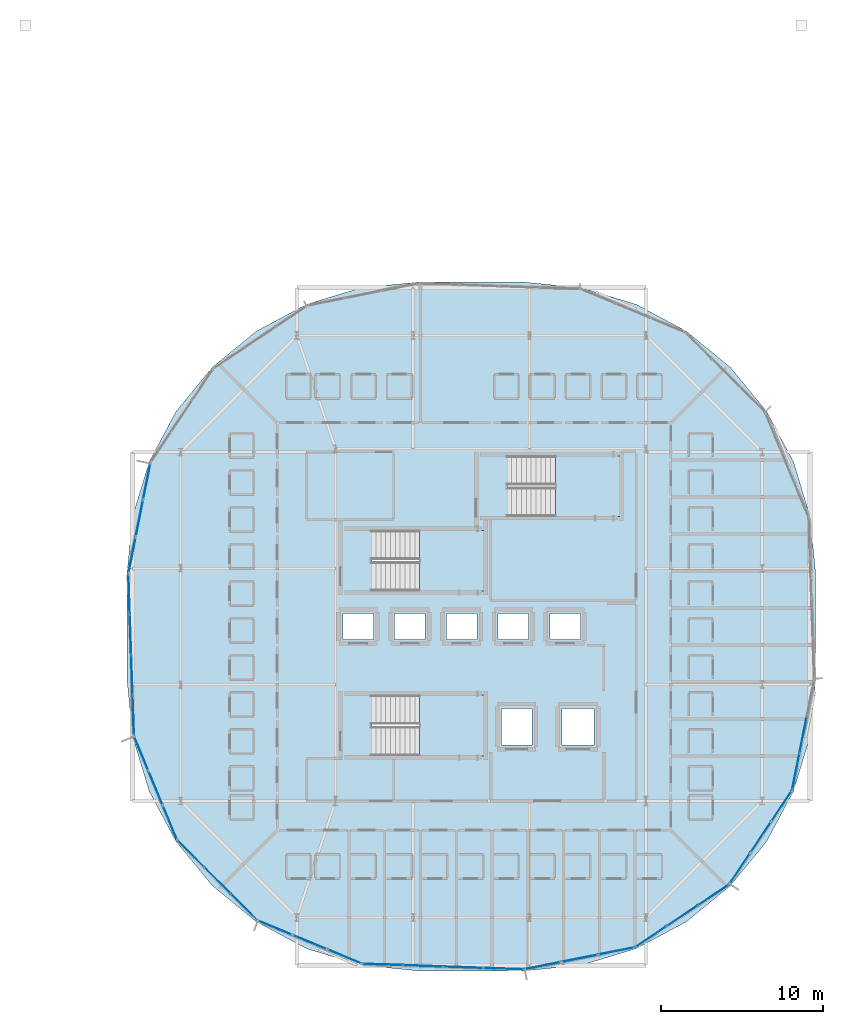
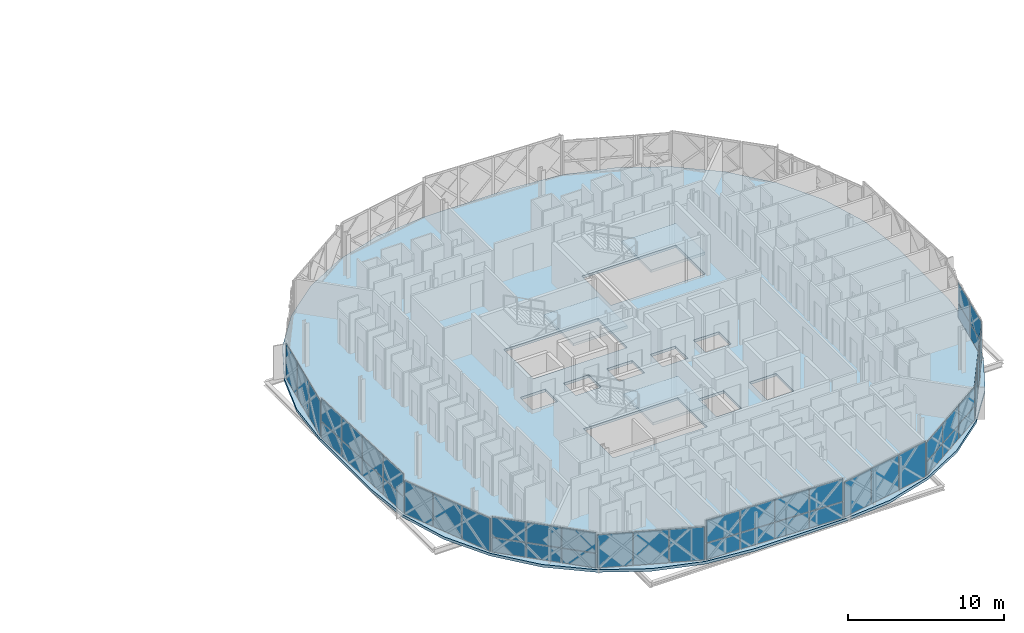
# One storey, part 12 of 25: 47 plates, 4 slabs, 13 elements without a shape of their own.
"""IFC4 building model written with IfcOpenShell, lengths in metres."""

from ifc_helpers import new_model, si_unit, direction, frame, origin, origin_2d, place, context, subcontext, project, spatial, polyline, rectangle, outline, extrude, material, layer, layer_set, type_object, element, aggregate, save


model = new_model("IFC4")

# Units and contexts
model_context = context("Model", 3, precision=1e-05, world=origin(), true_north=direction((0.0, 1.0)))
body_context = subcontext(model_context, "Body", "Model", "MODEL_VIEW")
ifc_project = project(units=[si_unit("LENGTHUNIT", "METRE"), si_unit("AREAUNIT", "SQUARE_METRE"), si_unit("VOLUMEUNIT", "CUBIC_METRE"), si_unit("PLANEANGLEUNIT", "RADIAN"), si_unit("MASSUNIT", "GRAM", prefix="KILO")], contexts=[model_context])

# Site, building, storey
site_placement = place(None, origin())
site = spatial("IfcSite", under=ifc_project, at=site_placement, CompositionType="ELEMENT")
building_placement = place(site_placement, origin())
building = spatial("IfcBuilding", under=site, at=building_placement, Name="Zevrakil Square Congress Hotel", CompositionType="ELEMENT")
storey_placement = place(building_placement, frame((0.0, 0.0, 28.300048828125)))
storey = spatial("IfcBuildingStorey", under=building, at=storey_placement, Name="L08", CompositionType="ELEMENT", Elevation=28.300048828125)

# Curtain wall, plate
ifc_material_1 = material(Name="Aluminium Anodised Bronze", Category="aluminium")
ifc_layer_1 = layer(ifc_material_1, 0.179931640625)
ifc_layer_set_1 = layer_set([ifc_layer_1], Name="Aluminium Anodised Bronze")
curtain_wall_type_1 = type_object("IfcCurtainWallType", Name="CW-L08-720", PredefinedType="USERDEFINED", material=ifc_layer_set_1)
curtain_wall_1_placement = place(storey_placement, origin())
curtain_wall_1 = element("IfcCurtainWall", 1, at=curtain_wall_1_placement, inside=storey, type_object=curtain_wall_type_1, Name="L08 diamond curtain wall CW-L08-0235", ObjectType="GLAZED CURTAIN WALL", PredefinedType="USERDEFINED")
ifc_material_2 = material(Name="Low-E Solar Control Double Glazing", Category="glass")
ifc_layer_2 = layer(ifc_material_2, 0.028076171875)
ifc_layer_set_2 = layer_set([ifc_layer_2], Name="Low-E Solar Control Double Glazing")
plate_type_1 = type_object("IfcPlateType", Name="CWP-GLAZ-28", PredefinedType="CURTAIN_PANEL", material=ifc_layer_set_2)
plate_1_placement = place(storey_placement, frame((151.89501953125, 7.06884765625, 0.06005859375), z_axis=(0.0, 0.0, 1.0), x_axis=(0.980786557708, 0.195083900459, 0.0)))
plate_1 = element("IfcPlate", 2, at=plate_1_placement, type_object=plate_type_1, Name="CW-94 panel 2.1", PredefinedType="CURTAIN_PANEL", context=body_context, shape_type="SweptSolid", body=[
    extrude(rectangle(XDim=2.275146484375, YDim=0.028076171875, at=origin_2d()), origin(), (0.0, 0.0, 1.0), 2.739990234375),
])

# Curtain wall, plates
curtain_wall_2_placement = place(storey_placement, origin())
curtain_wall_2 = element("IfcCurtainWall", 3, at=curtain_wall_2_placement, inside=storey, type_object=curtain_wall_type_1, Name="L08 diamond curtain wall CW-L08-0236", ObjectType="GLAZED CURTAIN WALL", PredefinedType="USERDEFINED")
plate_2_placement = place(storey_placement, frame((156.31396484375, 8.4091796875, 0.06005859375), z_axis=(0.0, 0.0, 1.0), x_axis=(0.831465693332, 0.555576098128, 0.0)))
plate_2 = element("IfcPlate", 4, at=plate_2_placement, type_object=plate_type_1, Name="CW-94 panel 1.1", PredefinedType="CURTAIN_PANEL", context=body_context, shape_type="SweptSolid", body=[
    extrude(rectangle(XDim=2.2451171875, YDim=0.028076171875, at=origin_2d()), origin(), (0.0, 0.0, 1.0), 1.048095703125),
])
plate_3_placement = place(storey_placement, frame((158.2431640625, 9.6982421875, 1.16796875), z_axis=(0.0, 0.0, 1.0), x_axis=(0.831465693332, 0.555576098128, 0.0)))
plate_3 = element("IfcPlate", 5, at=plate_3_placement, type_object=plate_type_1, Name="CW-94 panel 2.2", PredefinedType="CURTAIN_PANEL", context=body_context, shape_type="SweptSolid", body=[
    extrude(rectangle(XDim=2.275146484375, YDim=0.028076171875, at=origin_2d()), origin(), (0.0, 0.0, 1.0), 1.481689453125),
])
plate_4_placement = place(storey_placement, frame((160.17236328125, 10.9873046875, 1.16796875), z_axis=(0.0, 0.0, 1.0), x_axis=(0.831465693332, 0.555576098128, 0.0)))
plate_4 = element("IfcPlate", 6, at=plate_4_placement, type_object=plate_type_1, Name="CW-94 panel 3.2", PredefinedType="CURTAIN_PANEL", context=body_context, shape_type="SweptSolid", body=[
    extrude(rectangle(XDim=2.2451171875, YDim=0.028076171875, at=origin_2d()), origin(), (0.0, 0.0, 1.0), 1.481689453125),
])

# Curtain wall, plate
curtain_wall_3_placement = place(storey_placement, origin())
curtain_wall_3 = element("IfcCurtainWall", 7, at=curtain_wall_3_placement, inside=storey, type_object=curtain_wall_type_1, Name="L08 diamond curtain wall CW-L08-0237", ObjectType="GLAZED CURTAIN WALL", PredefinedType="USERDEFINED")
plate_5_placement = place(storey_placement, frame((164.390869140625, 16.486083984375, 0.06005859375), z_axis=(0.0, 0.0, 1.0), x_axis=(0.555576098128, 0.831465693332, 0.0)))
plate_5 = element("IfcPlate", 8, at=plate_5_placement, type_object=plate_type_1, Name="CW-94 panel 3.1", PredefinedType="CURTAIN_PANEL", context=body_context, shape_type="SweptSolid", body=[
    extrude(rectangle(XDim=2.2451171875, YDim=0.028076171875, at=origin_2d()), origin(), (0.0, 0.0, 1.0), 2.590087890625),
])

# Curtain wall, plates
curtain_wall_4_placement = place(storey_placement, origin())
curtain_wall_4 = element("IfcCurtainWall", 9, at=curtain_wall_4_placement, inside=storey, type_object=curtain_wall_type_1, Name="L08 diamond curtain wall CW-L08-0238", ObjectType="GLAZED CURTAIN WALL", PredefinedType="USERDEFINED")
plate_6_placement = place(storey_placement, frame((165.278564453125, 18.62939453125, 1.231201171875), z_axis=(0.0, 0.0, 1.0), x_axis=(0.195083900459, 0.980786557708, 0.0)))
plate_6 = element("IfcPlate", 10, at=plate_6_placement, type_object=plate_type_1, Name="CW-94 panel 1.2", PredefinedType="CURTAIN_PANEL", context=body_context, shape_type="SweptSolid", body=[
    extrude(rectangle(XDim=2.2451171875, YDim=0.028076171875, at=origin_2d()), origin(), (0.0, 0.0, 1.0), 1.56884765625),
])
plate_7_placement = place(storey_placement, frame((165.731201171875, 20.905029296875, 1.231201171875), z_axis=(0.0, 0.0, 1.0), x_axis=(0.195083900459, 0.980786557708, 0.0)))
plate_7 = element("IfcPlate", 11, at=plate_7_placement, type_object=plate_type_1, Name="CW-94 panel 2.2", PredefinedType="CURTAIN_PANEL", context=body_context, shape_type="SweptSolid", body=[
    extrude(rectangle(XDim=2.275146484375, YDim=0.028076171875, at=origin_2d()), origin(), (0.0, 0.0, 1.0), 1.56884765625),
])

# Curtain wall, plate
curtain_wall_5_placement = place(storey_placement, origin())
curtain_wall_5 = element("IfcCurtainWall", 12, at=curtain_wall_5_placement, inside=storey, type_object=curtain_wall_type_1, Name="L08 diamond curtain wall CW-L08-0247", ObjectType="GLAZED CURTAIN WALL", PredefinedType="USERDEFINED")
plate_8_placement = place(storey_placement, frame((124.21630859375, 32.019287109375, 0.06005859375), z_axis=(0.0, 0.0, 1.0), x_axis=(-0.195083900459, -0.980786557708, 0.0)))
plate_8 = element("IfcPlate", 13, at=plate_8_placement, type_object=plate_type_1, Name="CW-94 panel 3.1", PredefinedType="CURTAIN_PANEL", context=body_context, shape_type="SweptSolid", body=[
    extrude(rectangle(XDim=2.2451171875, YDim=0.028076171875, at=origin_2d()), origin(), (0.0, 0.0, 1.0), 2.739990234375),
])

# Curtain wall, plates
ifc_material_3 = material(Name="Aluminium Anodised Bronze", Category="aluminium")
ifc_layer_3 = layer(ifc_material_3, 0.179931640625)
ifc_layer_set_3 = layer_set([ifc_layer_3], Name="Aluminium Anodised Bronze")
curtain_wall_type_2 = type_object("IfcCurtainWallType", Name="CW-L08-900", PredefinedType="USERDEFINED", material=ifc_layer_set_3)
curtain_wall_6_placement = place(storey_placement, origin())
curtain_wall_6 = element("IfcCurtainWall", 14, at=curtain_wall_6_placement, inside=storey, type_object=curtain_wall_type_2, Name="L08 diamond curtain wall CW-L08-0248", ObjectType="GLAZED CURTAIN WALL", PredefinedType="USERDEFINED")
plate_9_placement = place(storey_placement, frame((124.029052734375, 29.591796875, 1.363525390625), z_axis=(0.0, 0.0, 1.0), x_axis=(0.034404573593, -0.999407987418, 0.0)))
plate_9 = element("IfcPlate", 15, at=plate_9_placement, type_object=plate_type_1, Name="CW-96 panel 1.2", PredefinedType="CURTAIN_PANEL", context=body_context, shape_type="SweptSolid", body=[
    extrude(rectangle(XDim=2.4169921875, YDim=0.028076171875, at=origin_2d()), origin(), (0.0, 0.0, 1.0), 1.75146484375),
])
plate_10_placement = place(storey_placement, frame((124.114990234375, 27.101318359375, 1.363525390625), z_axis=(0.0, 0.0, 1.0), x_axis=(0.034404573593, -0.999407987418, 0.0)))
plate_10 = element("IfcPlate", 16, at=plate_10_placement, type_object=plate_type_1, Name="CW-96 panel 2.2", PredefinedType="CURTAIN_PANEL", context=body_context, shape_type="SweptSolid", body=[
    extrude(rectangle(XDim=2.447021484375, YDim=0.028076171875, at=origin_2d()), origin(), (0.0, 0.0, 1.0), 1.75146484375),
])
plate_11_placement = place(storey_placement, frame((124.286865234375, 22.10546875, 0.06005859375), z_axis=(0.0, 0.0, 1.0), x_axis=(0.034404573593, -0.999407987418, 0.0)))
plate_11 = element("IfcPlate", 17, at=plate_11_placement, type_object=plate_type_1, Name="CW-96 panel 4.1", PredefinedType="CURTAIN_PANEL", context=body_context, shape_type="SweptSolid", body=[
    extrude(rectangle(XDim=2.4169921875, YDim=0.028076171875, at=origin_2d()), origin(), (0.0, 0.0, 1.0), 1.243408203125),
])

curtain_wall_7_placement = place(storey_placement, origin())
curtain_wall_7 = element("IfcCurtainWall", 18, at=curtain_wall_7_placement, inside=storey, type_object=curtain_wall_type_1, Name="L08 diamond curtain wall CW-L08-0249", ObjectType="GLAZED CURTAIN WALL", PredefinedType="USERDEFINED")
plate_12_placement = place(storey_placement, frame((124.782958984375, 19.7451171875, 0.06005859375), z_axis=(0.0, 0.0, 1.0), x_axis=(0.382683763454, -0.92387939537, 0.0)))
plate_12 = element("IfcPlate", 19, at=plate_12_placement, type_object=plate_type_1, Name="CW-94 panel 1.1", PredefinedType="CURTAIN_PANEL", context=body_context, shape_type="SweptSolid", body=[
    extrude(rectangle(XDim=2.245361328125, YDim=0.028076171875, at=origin_2d()), origin(), (0.0, 0.0, 1.0), 2.590087890625),
])
plate_13_placement = place(storey_placement, frame((126.558837890625, 15.457763671875, 0.06005859375), z_axis=(0.0, 0.0, 1.0), x_axis=(0.382683763454, -0.92387939537, 0.0)))
plate_13 = element("IfcPlate", 20, at=plate_13_placement, type_object=plate_type_1, Name="CW-94 panel 3.1", PredefinedType="CURTAIN_PANEL", context=body_context, shape_type="SweptSolid", body=[
    extrude(rectangle(XDim=2.245361328125, YDim=0.028076171875, at=origin_2d()), origin(), (0.0, 0.0, 1.0), 2.590087890625),
])

curtain_wall_8_placement = place(storey_placement, origin())
curtain_wall_8 = element("IfcCurtainWall", 21, at=curtain_wall_8_placement, inside=storey, type_object=curtain_wall_type_1, Name="L08 diamond curtain wall CW-L08-0250", ObjectType="GLAZED CURTAIN WALL", PredefinedType="USERDEFINED")
plate_14_placement = place(storey_placement, frame((127.84765625, 13.529052734375, 1.231201171875), z_axis=(0.0, 0.0, 1.0), x_axis=(0.707106781187, -0.707106781187, 0.0)))
plate_14 = element("IfcPlate", 22, at=plate_14_placement, type_object=plate_type_1, Name="CW-94 panel 1.2", PredefinedType="CURTAIN_PANEL", context=body_context, shape_type="SweptSolid", body=[
    extrude(rectangle(XDim=2.2451171875, YDim=0.028076171875, at=origin_2d()), origin(), (0.0, 0.0, 1.0), 1.56884765625),
])
plate_15_placement = place(storey_placement, frame((131.12890625, 10.247802734375, 0.06005859375), z_axis=(0.0, 0.0, 1.0), x_axis=(0.707106781187, -0.707106781187, 0.0)))
plate_15 = element("IfcPlate", 23, at=plate_15_placement, type_object=plate_type_1, Name="CW-94 panel 3.1", PredefinedType="CURTAIN_PANEL", context=body_context, shape_type="SweptSolid", body=[
    extrude(rectangle(XDim=2.2451171875, YDim=0.028076171875, at=origin_2d()), origin(), (0.0, 0.0, 1.0), 1.111083984375),
])

# Curtain wall, plate
curtain_wall_9_placement = place(storey_placement, origin())
curtain_wall_9 = element("IfcCurtainWall", 24, at=curtain_wall_9_placement, inside=storey, type_object=curtain_wall_type_1, Name="L08 diamond curtain wall CW-L08-0251", ObjectType="GLAZED CURTAIN WALL", PredefinedType="USERDEFINED")
plate_16_placement = place(storey_placement, frame((133.057861328125, 8.958984375, 0.06005859375), z_axis=(0.0, 0.0, 1.0), x_axis=(0.92387939537, -0.382683763454, 0.0)))
plate_16 = element("IfcPlate", 25, at=plate_16_placement, type_object=plate_type_1, Name="CW-94 panel 1.1", PredefinedType="CURTAIN_PANEL", context=body_context, shape_type="SweptSolid", body=[
    extrude(rectangle(XDim=2.245361328125, YDim=0.028076171875, at=origin_2d()), origin(), (0.0, 0.0, 1.0), 2.590087890625),
])

# Curtain wall, plates
curtain_wall_10_placement = place(storey_placement, origin())
curtain_wall_10 = element("IfcCurtainWall", 26, at=curtain_wall_10_placement, inside=storey, type_object=curtain_wall_type_2, Name="L08 diamond curtain wall CW-L08-0252", ObjectType="GLAZED CURTAIN WALL", PredefinedType="USERDEFINED")
plate_17_placement = place(storey_placement, frame((142.19580078125, 6.60107421875, 0.06005859375), z_axis=(0.0, 0.0, 1.0), x_axis=(0.999407987418, -0.034404573593, 0.0)))
plate_17 = element("IfcPlate", 27, at=plate_17_placement, type_object=plate_type_1, Name="CW-96 panel 2.1", PredefinedType="CURTAIN_PANEL", context=body_context, shape_type="SweptSolid", body=[
    extrude(rectangle(XDim=2.447021484375, YDim=0.028076171875, at=origin_2d()), origin(), (0.0, 0.0, 1.0), 1.243408203125),
])
plate_18_placement = place(storey_placement, frame((144.701416015625, 6.514892578125, 0.06005859375), z_axis=(0.0, 0.0, 1.0), x_axis=(0.999407987418, -0.034404573593, 0.0)))
plate_18 = element("IfcPlate", 28, at=plate_18_placement, type_object=plate_type_1, Name="CW-96 panel 3.1", PredefinedType="CURTAIN_PANEL", context=body_context, shape_type="SweptSolid", body=[
    extrude(rectangle(XDim=2.447021484375, YDim=0.028076171875, at=origin_2d()), origin(), (0.0, 0.0, 1.0), 1.243408203125),
])
plate_19_placement = place(storey_placement, frame((147.19189453125, 6.42919921875, 1.363525390625), z_axis=(0.0, 0.0, 1.0), x_axis=(0.999407987418, -0.034404573593, 0.0)))
plate_19 = element("IfcPlate", 29, at=plate_19_placement, type_object=plate_type_1, Name="CW-96 panel 4.2", PredefinedType="CURTAIN_PANEL", context=body_context, shape_type="SweptSolid", body=[
    extrude(rectangle(XDim=2.4169921875, YDim=0.028076171875, at=origin_2d()), origin(), (0.0, 0.0, 1.0), 1.75146484375),
])

# Plate
ifc_material_4 = material(Name="Basalt Grey Ribbed GRC Panel", Category="masonry")
ifc_layer_4 = layer(ifc_material_4, 0.0439453125)
ifc_layer_set_4 = layer_set([ifc_layer_4], Name="Basalt Grey Ribbed GRC Panel")
plate_type_2 = type_object("IfcPlateType", Name="CWP-GRCG-44", PredefinedType="CURTAIN_PANEL", material=ifc_layer_set_4)
plate_20_placement = place(storey_placement, frame((158.2431640625, 9.6982421875, 0.06005859375), z_axis=(0.0, 0.0, 1.0), x_axis=(0.831465693332, 0.555576098128, 0.0)))
plate_20 = element("IfcPlate", 30, at=plate_20_placement, type_object=plate_type_2, Name="CW-94 panel 2.1", PredefinedType="CURTAIN_PANEL", context=body_context, shape_type="SweptSolid", body=[
    extrude(rectangle(XDim=2.275146484375, YDim=0.028076171875, at=origin_2d()), origin(), (0.0, 0.0, 1.0), 1.048095703125),
])

plate_21_placement = place(storey_placement, frame((163.101806640625, 14.556884765625, 0.06005859375), z_axis=(0.0, 0.0, 1.0), x_axis=(0.555576098128, 0.831465693332, 0.0)))
plate_21 = element("IfcPlate", 31, at=plate_21_placement, type_object=plate_type_2, Name="CW-94 panel 2.1", PredefinedType="CURTAIN_PANEL", context=body_context, shape_type="SweptSolid", body=[
    extrude(rectangle(XDim=2.275146484375, YDim=0.028076171875, at=origin_2d()), origin(), (0.0, 0.0, 1.0), 2.590087890625),
])

plate_22_placement = place(storey_placement, frame((165.278564453125, 18.62939453125, 0.06005859375), z_axis=(0.0, 0.0, 1.0), x_axis=(0.195083900459, 0.980786557708, 0.0)))
plate_22 = element("IfcPlate", 32, at=plate_22_placement, type_object=plate_type_2, Name="CW-94 panel 1.1", PredefinedType="CURTAIN_PANEL", context=body_context, shape_type="SweptSolid", body=[
    extrude(rectangle(XDim=2.2451171875, YDim=0.028076171875, at=origin_2d()), origin(), (0.0, 0.0, 1.0), 1.111083984375),
])

plate_23_placement = place(storey_placement, frame((124.6689453125, 34.295166015625, 0.06005859375), z_axis=(0.0, 0.0, 1.0), x_axis=(-0.195083900459, -0.980786557708, 0.0)))
plate_23 = element("IfcPlate", 33, at=plate_23_placement, type_object=plate_type_2, Name="CW-94 panel 2.1", PredefinedType="CURTAIN_PANEL", context=body_context, shape_type="SweptSolid", body=[
    extrude(rectangle(XDim=2.275146484375, YDim=0.028076171875, at=origin_2d()), origin(), (0.0, 0.0, 1.0), 2.739990234375),
])

plate_24_placement = place(storey_placement, frame((124.029052734375, 29.591796875, 0.06005859375), z_axis=(0.0, 0.0, 1.0), x_axis=(0.034404573593, -0.999407987418, 0.0)))
plate_24 = element("IfcPlate", 34, at=plate_24_placement, type_object=plate_type_2, Name="CW-96 panel 1.1", PredefinedType="CURTAIN_PANEL", context=body_context, shape_type="SweptSolid", body=[
    extrude(rectangle(XDim=2.4169921875, YDim=0.028076171875, at=origin_2d()), origin(), (0.0, 0.0, 1.0), 1.243408203125),
])

plate_25_placement = place(storey_placement, frame((124.201171875, 24.595947265625, 1.363525390625), z_axis=(0.0, 0.0, 1.0), x_axis=(0.034404573593, -0.999407987418, 0.0)))
plate_25 = element("IfcPlate", 35, at=plate_25_placement, type_object=plate_type_2, Name="CW-96 panel 3.2", PredefinedType="CURTAIN_PANEL", context=body_context, shape_type="SweptSolid", body=[
    extrude(rectangle(XDim=2.447021484375, YDim=0.028076171875, at=origin_2d()), origin(), (0.0, 0.0, 1.0), 1.75146484375),
])

plate_26_placement = place(storey_placement, frame((129.48828125, 11.888427734375, 1.231201171875), z_axis=(0.0, 0.0, 1.0), x_axis=(0.707106781187, -0.707106781187, 0.0)))
plate_26 = element("IfcPlate", 36, at=plate_26_placement, type_object=plate_type_2, Name="CW-94 panel 2.2", PredefinedType="CURTAIN_PANEL", context=body_context, shape_type="SweptSolid", body=[
    extrude(rectangle(XDim=2.275146484375, YDim=0.028076171875, at=origin_2d()), origin(), (0.0, 0.0, 1.0), 1.56884765625),
])

plate_27_placement = place(storey_placement, frame((137.344970703125, 7.18310546875, 0.06005859375), z_axis=(0.0, 0.0, 1.0), x_axis=(0.92387939537, -0.382683763454, 0.0)))
plate_27 = element("IfcPlate", 37, at=plate_27_placement, type_object=plate_type_2, Name="CW-94 panel 3.1", PredefinedType="CURTAIN_PANEL", context=body_context, shape_type="SweptSolid", body=[
    extrude(rectangle(XDim=2.245361328125, YDim=0.028076171875, at=origin_2d()), origin(), (0.0, 0.0, 1.0), 2.590087890625),
])

plate_28_placement = place(storey_placement, frame((139.705322265625, 6.686767578125, 1.363525390625), z_axis=(0.0, 0.0, 1.0), x_axis=(0.999407987418, -0.034404573593, 0.0)))
plate_28 = element("IfcPlate", 38, at=plate_28_placement, type_object=plate_type_2, Name="CW-96 panel 1.2", PredefinedType="CURTAIN_PANEL", context=body_context, shape_type="SweptSolid", body=[
    extrude(rectangle(XDim=2.4169921875, YDim=0.028076171875, at=origin_2d()), origin(), (0.0, 0.0, 1.0), 1.75146484375),
])

plate_29_placement = place(storey_placement, frame((147.19189453125, 6.42919921875, 0.06005859375), z_axis=(0.0, 0.0, 1.0), x_axis=(0.999407987418, -0.034404573593, 0.0)))
plate_29 = element("IfcPlate", 39, at=plate_29_placement, type_object=plate_type_2, Name="CW-96 panel 4.1", PredefinedType="CURTAIN_PANEL", context=body_context, shape_type="SweptSolid", body=[
    extrude(rectangle(XDim=2.4169921875, YDim=0.028076171875, at=origin_2d()), origin(), (0.0, 0.0, 1.0), 1.243408203125),
])

ifc_material_5 = material(Name="White Ribbed Highland GRC Panel", Category="concrete")
ifc_layer_5 = layer(ifc_material_5, 0.0400390625)
ifc_layer_set_5 = layer_set([ifc_layer_5], Name="White Ribbed Highland GRC Panel")
plate_type_3 = type_object("IfcPlateType", Name="CWP-GRCW-40", PredefinedType="CURTAIN_PANEL", material=ifc_layer_set_5)
plate_30_placement = place(storey_placement, frame((149.619384765625, 6.6162109375, 0.06005859375), z_axis=(0.0, 0.0, 1.0), x_axis=(0.980786557708, 0.195083900459, 0.0)))
plate_30 = element("IfcPlate", 40, at=plate_30_placement, type_object=plate_type_3, Name="CW-94 panel 1.1", PredefinedType="CURTAIN_PANEL", context=body_context, shape_type="SweptSolid", body=[
    extrude(rectangle(XDim=2.2451171875, YDim=0.028076171875, at=origin_2d()), origin(), (0.0, 0.0, 1.0), 2.739990234375),
])

plate_31_placement = place(storey_placement, frame((154.170654296875, 7.521484375, 0.06005859375), z_axis=(0.0, 0.0, 1.0), x_axis=(0.980786557708, 0.195083900459, 0.0)))
plate_31 = element("IfcPlate", 41, at=plate_31_placement, type_object=plate_type_3, Name="CW-94 panel 3.1", PredefinedType="CURTAIN_PANEL", context=body_context, shape_type="SweptSolid", body=[
    extrude(rectangle(XDim=2.2451171875, YDim=0.028076171875, at=origin_2d()), origin(), (0.0, 0.0, 1.0), 2.739990234375),
])

aggregate(curtain_wall_1, [plate_30, plate_1, plate_31])

plate_32_placement = place(storey_placement, frame((156.31396484375, 8.4091796875, 1.16796875), z_axis=(0.0, 0.0, 1.0), x_axis=(0.831465693332, 0.555576098128, 0.0)))
plate_32 = element("IfcPlate", 42, at=plate_32_placement, type_object=plate_type_3, Name="CW-94 panel 1.2", PredefinedType="CURTAIN_PANEL", context=body_context, shape_type="SweptSolid", body=[
    extrude(rectangle(XDim=2.2451171875, YDim=0.028076171875, at=origin_2d()), origin(), (0.0, 0.0, 1.0), 1.481689453125),
])

plate_33_placement = place(storey_placement, frame((160.17236328125, 10.9873046875, 0.06005859375), z_axis=(0.0, 0.0, 1.0), x_axis=(0.831465693332, 0.555576098128, 0.0)))
plate_33 = element("IfcPlate", 43, at=plate_33_placement, type_object=plate_type_3, Name="CW-94 panel 3.1", PredefinedType="CURTAIN_PANEL", context=body_context, shape_type="SweptSolid", body=[
    extrude(rectangle(XDim=2.2451171875, YDim=0.028076171875, at=origin_2d()), origin(), (0.0, 0.0, 1.0), 1.048095703125),
])

aggregate(curtain_wall_2, [plate_2, plate_32, plate_20, plate_3, plate_33, plate_4])

plate_34_placement = place(storey_placement, frame((161.812744140625, 12.627685546875, 0.06005859375), z_axis=(0.0, 0.0, 1.0), x_axis=(0.555576098128, 0.831465693332, 0.0)))
plate_34 = element("IfcPlate", 44, at=plate_34_placement, type_object=plate_type_3, Name="CW-94 panel 1.1", PredefinedType="CURTAIN_PANEL", context=body_context, shape_type="SweptSolid", body=[
    extrude(rectangle(XDim=2.2451171875, YDim=0.028076171875, at=origin_2d()), origin(), (0.0, 0.0, 1.0), 2.590087890625),
])

aggregate(curtain_wall_3, [plate_34, plate_21, plate_5])

plate_35_placement = place(storey_placement, frame((165.731201171875, 20.905029296875, 0.06005859375), z_axis=(0.0, 0.0, 1.0), x_axis=(0.195083900459, 0.980786557708, 0.0)))
plate_35 = element("IfcPlate", 45, at=plate_35_placement, type_object=plate_type_3, Name="CW-94 panel 2.1", PredefinedType="CURTAIN_PANEL", context=body_context, shape_type="SweptSolid", body=[
    extrude(rectangle(XDim=2.275146484375, YDim=0.028076171875, at=origin_2d()), origin(), (0.0, 0.0, 1.0), 1.111083984375),
])

aggregate(curtain_wall_4, [plate_22, plate_6, plate_35, plate_7])

plate_36_placement = place(storey_placement, frame((125.12158203125, 36.57080078125, 0.06005859375), z_axis=(0.0, 0.0, 1.0), x_axis=(-0.195083900459, -0.980786557708, 0.0)))
plate_36 = element("IfcPlate", 46, at=plate_36_placement, type_object=plate_type_3, Name="CW-94 panel 1.1", PredefinedType="CURTAIN_PANEL", context=body_context, shape_type="SweptSolid", body=[
    extrude(rectangle(XDim=2.2451171875, YDim=0.028076171875, at=origin_2d()), origin(), (0.0, 0.0, 1.0), 2.739990234375),
])

aggregate(curtain_wall_5, [plate_36, plate_23, plate_8])

plate_37_placement = place(storey_placement, frame((124.114990234375, 27.101318359375, 0.06005859375), z_axis=(0.0, 0.0, 1.0), x_axis=(0.034404573593, -0.999407987418, 0.0)))
plate_37 = element("IfcPlate", 47, at=plate_37_placement, type_object=plate_type_3, Name="CW-96 panel 2.1", PredefinedType="CURTAIN_PANEL", context=body_context, shape_type="SweptSolid", body=[
    extrude(rectangle(XDim=2.447021484375, YDim=0.028076171875, at=origin_2d()), origin(), (0.0, 0.0, 1.0), 1.243408203125),
])

plate_38_placement = place(storey_placement, frame((124.201171875, 24.595947265625, 0.06005859375), z_axis=(0.0, 0.0, 1.0), x_axis=(0.034404573593, -0.999407987418, 0.0)))
plate_38 = element("IfcPlate", 48, at=plate_38_placement, type_object=plate_type_3, Name="CW-96 panel 3.1", PredefinedType="CURTAIN_PANEL", context=body_context, shape_type="SweptSolid", body=[
    extrude(rectangle(XDim=2.447021484375, YDim=0.028076171875, at=origin_2d()), origin(), (0.0, 0.0, 1.0), 1.243408203125),
])

plate_39_placement = place(storey_placement, frame((124.286865234375, 22.10546875, 1.363525390625), z_axis=(0.0, 0.0, 1.0), x_axis=(0.034404573593, -0.999407987418, 0.0)))
plate_39 = element("IfcPlate", 49, at=plate_39_placement, type_object=plate_type_3, Name="CW-96 panel 4.2", PredefinedType="CURTAIN_PANEL", context=body_context, shape_type="SweptSolid", body=[
    extrude(rectangle(XDim=2.4169921875, YDim=0.028076171875, at=origin_2d()), origin(), (0.0, 0.0, 1.0), 1.75146484375),
])

aggregate(curtain_wall_6, [plate_24, plate_9, plate_37, plate_10, plate_38, plate_25, plate_11, plate_39])

plate_40_placement = place(storey_placement, frame((125.6708984375, 17.6015625, 0.06005859375), z_axis=(0.0, 0.0, 1.0), x_axis=(0.382683763454, -0.92387939537, 0.0)))
plate_40 = element("IfcPlate", 50, at=plate_40_placement, type_object=plate_type_3, Name="CW-94 panel 2.1", PredefinedType="CURTAIN_PANEL", context=body_context, shape_type="SweptSolid", body=[
    extrude(rectangle(XDim=2.275146484375, YDim=0.028076171875, at=origin_2d()), origin(), (0.0, 0.0, 1.0), 2.590087890625),
])

aggregate(curtain_wall_7, [plate_12, plate_40, plate_13])

plate_41_placement = place(storey_placement, frame((127.84765625, 13.529052734375, 0.06005859375), z_axis=(0.0, 0.0, 1.0), x_axis=(0.707106781187, -0.707106781187, 0.0)))
plate_41 = element("IfcPlate", 51, at=plate_41_placement, type_object=plate_type_3, Name="CW-94 panel 1.1", PredefinedType="CURTAIN_PANEL", context=body_context, shape_type="SweptSolid", body=[
    extrude(rectangle(XDim=2.2451171875, YDim=0.028076171875, at=origin_2d()), origin(), (0.0, 0.0, 1.0), 1.111083984375),
])

plate_42_placement = place(storey_placement, frame((129.48828125, 11.888427734375, 0.06005859375), z_axis=(0.0, 0.0, 1.0), x_axis=(0.707106781187, -0.707106781187, 0.0)))
plate_42 = element("IfcPlate", 52, at=plate_42_placement, type_object=plate_type_3, Name="CW-94 panel 2.1", PredefinedType="CURTAIN_PANEL", context=body_context, shape_type="SweptSolid", body=[
    extrude(rectangle(XDim=2.275146484375, YDim=0.028076171875, at=origin_2d()), origin(), (0.0, 0.0, 1.0), 1.111083984375),
])

plate_43_placement = place(storey_placement, frame((131.12890625, 10.247802734375, 1.231201171875), z_axis=(0.0, 0.0, 1.0), x_axis=(0.707106781187, -0.707106781187, 0.0)))
plate_43 = element("IfcPlate", 53, at=plate_43_placement, type_object=plate_type_3, Name="CW-94 panel 3.2", PredefinedType="CURTAIN_PANEL", context=body_context, shape_type="SweptSolid", body=[
    extrude(rectangle(XDim=2.2451171875, YDim=0.028076171875, at=origin_2d()), origin(), (0.0, 0.0, 1.0), 1.56884765625),
])

aggregate(curtain_wall_8, [plate_41, plate_14, plate_42, plate_26, plate_15, plate_43])

plate_44_placement = place(storey_placement, frame((135.201416015625, 8.071044921875, 0.06005859375), z_axis=(0.0, 0.0, 1.0), x_axis=(0.92387939537, -0.382683763454, 0.0)))
plate_44 = element("IfcPlate", 54, at=plate_44_placement, type_object=plate_type_3, Name="CW-94 panel 2.1", PredefinedType="CURTAIN_PANEL", context=body_context, shape_type="SweptSolid", body=[
    extrude(rectangle(XDim=2.275146484375, YDim=0.028076171875, at=origin_2d()), origin(), (0.0, 0.0, 1.0), 2.590087890625),
])

aggregate(curtain_wall_9, [plate_16, plate_44, plate_27])

plate_45_placement = place(storey_placement, frame((139.705322265625, 6.686767578125, 0.06005859375), z_axis=(0.0, 0.0, 1.0), x_axis=(0.999407987418, -0.034404573593, 0.0)))
plate_45 = element("IfcPlate", 55, at=plate_45_placement, type_object=plate_type_3, Name="CW-96 panel 1.1", PredefinedType="CURTAIN_PANEL", context=body_context, shape_type="SweptSolid", body=[
    extrude(rectangle(XDim=2.4169921875, YDim=0.028076171875, at=origin_2d()), origin(), (0.0, 0.0, 1.0), 1.243408203125),
])

plate_46_placement = place(storey_placement, frame((142.19580078125, 6.60107421875, 1.363525390625), z_axis=(0.0, 0.0, 1.0), x_axis=(0.999407987418, -0.034404573593, 0.0)))
plate_46 = element("IfcPlate", 56, at=plate_46_placement, type_object=plate_type_3, Name="CW-96 panel 2.2", PredefinedType="CURTAIN_PANEL", context=body_context, shape_type="SweptSolid", body=[
    extrude(rectangle(XDim=2.447021484375, YDim=0.028076171875, at=origin_2d()), origin(), (0.0, 0.0, 1.0), 1.75146484375),
])

plate_47_placement = place(storey_placement, frame((144.701416015625, 6.514892578125, 1.363525390625), z_axis=(0.0, 0.0, 1.0), x_axis=(0.999407987418, -0.034404573593, 0.0)))
plate_47 = element("IfcPlate", 57, at=plate_47_placement, type_object=plate_type_3, Name="CW-96 panel 3.2", PredefinedType="CURTAIN_PANEL", context=body_context, shape_type="SweptSolid", body=[
    extrude(rectangle(XDim=2.447021484375, YDim=0.028076171875, at=origin_2d()), origin(), (0.0, 0.0, 1.0), 1.75146484375),
])

aggregate(curtain_wall_10, [plate_45, plate_28, plate_17, plate_46, plate_18, plate_47, plate_29, plate_19])

# Slab
ifc_material_6 = material(Name="Concrete C35/45", Category="concrete")
ifc_layer_6 = layer(ifc_material_6, 0.2099609375)
ifc_layer_set_6 = layer_set([ifc_layer_6], Name="Concrete C35/45")
slab_type_1 = type_object("IfcSlabType", Name="SLB-DRUM-210", PredefinedType="FLOOR", material=ifc_layer_set_6)
slab_1_placement = place(storey_placement, frame((0.0, 0.0, -0.2099609375)))
element("IfcSlab", 58, at=slab_1_placement, inside=storey, type_object=slab_type_1, Name="L08 swelling hotel drum floor slab", PredefinedType="FLOOR", context=body_context, shape_type="SweptSolid", body=[
    extrude(outline(polyline([(148.50439453125, 6.29541015625), (152.01611328125, 6.641357421875), (155.392822265625, 7.665771484375), (158.5048828125, 9.3291015625), (161.232421875, 11.567626953125), (163.470947265625, 14.295166015625), (165.13427734375, 17.4072265625), (166.15869140625, 20.783935546875), (166.50439453125, 24.29541015625), (166.50439453125, 30.904541015625), (166.15869140625, 34.416015625), (165.13427734375, 37.792724609375), (163.470947265625, 40.90478515625), (161.232421875, 43.63232421875), (158.5048828125, 45.87109375), (155.392822265625, 47.5341796875), (152.01611328125, 48.55859375), (148.50439453125, 48.904541015625), (141.8955078125, 48.904541015625), (138.3837890625, 48.55859375), (135.007080078125, 47.5341796875), (131.895263671875, 45.87109375), (129.16748046875, 43.63232421875), (126.928955078125, 40.90478515625), (125.265625, 37.792724609375), (124.241455078125, 34.416015625), (123.8955078125, 30.904541015625), (123.8955078125, 24.29541015625), (124.241455078125, 20.783935546875), (125.265625, 17.4072265625), (126.928955078125, 14.295166015625), (129.16748046875, 11.567626953125), (131.895263671875, 9.3291015625), (135.007080078125, 7.665771484375), (138.3837890625, 6.641357421875), (141.8955078125, 6.29541015625), (148.50439453125, 6.29541015625)]), holes=[polyline([(139.044921875, 19.60009765625), (146.0, 19.60009765625), (146.0, 23.35009765625), (139.044921875, 23.35009765625), (139.044921875, 19.60009765625)]), polyline([(139.044921875, 29.800048828125), (146.0, 29.800048828125), (146.0, 33.550048828125), (139.044921875, 33.550048828125), (139.044921875, 29.800048828125)]), polyline([(147.445068359375, 34.39990234375), (154.39990234375, 34.39990234375), (154.39990234375, 38.14990234375), (147.445068359375, 38.14990234375), (147.445068359375, 34.39990234375)]), polyline([(137.260009765625, 26.81005859375), (139.139892578125, 26.81005859375), (139.139892578125, 28.389892578125), (137.260009765625, 28.389892578125), (137.260009765625, 26.81005859375)]), polyline([(140.4599609375, 26.81005859375), (142.340087890625, 26.81005859375), (142.340087890625, 28.389892578125), (140.4599609375, 28.389892578125), (140.4599609375, 26.81005859375)]), polyline([(143.659912109375, 26.81005859375), (145.5400390625, 26.81005859375), (145.5400390625, 28.389892578125), (143.659912109375, 28.389892578125), (143.659912109375, 26.81005859375)]), polyline([(146.860107421875, 26.81005859375), (148.739990234375, 26.81005859375), (148.739990234375, 28.389892578125), (146.860107421875, 28.389892578125), (146.860107421875, 26.81005859375)]), polyline([(150.06005859375, 26.81005859375), (151.93994140625, 26.81005859375), (151.93994140625, 28.389892578125), (150.06005859375, 28.389892578125), (150.06005859375, 26.81005859375)]), polyline([(147.06005859375, 20.260009765625), (148.93994140625, 20.260009765625), (148.93994140625, 22.5400390625), (147.06005859375, 22.5400390625), (147.06005859375, 20.260009765625)]), polyline([(150.81005859375, 20.260009765625), (152.7900390625, 20.260009765625), (152.7900390625, 22.5400390625), (150.81005859375, 22.5400390625), (150.81005859375, 20.260009765625)])]), origin(), (0.0, 0.0, 1.0), 0.2099609375),
])

# Stair, slab
ifc_material_7 = material(Name="Concrete C35/45", Category="concrete")
stair_type = type_object("IfcStairType", Name="STR-DOGLEG-180", PredefinedType="HALF_TURN_STAIR", material=ifc_material_7)
stair_1_placement = place(storey_placement, origin())
stair_1 = element("IfcStair", 59, at=stair_1_placement, inside=storey, type_object=stair_type, Name="L08 Protected exit stair ST01", PredefinedType="HALF_TURN_STAIR")
ifc_material_8 = material(Name="Concrete C35/45", Category="concrete")
ifc_layer_7 = layer(ifc_material_8, 0.199951171875)
ifc_layer_set_7 = layer_set([ifc_layer_7], Name="Concrete C35/45")
slab_type_2 = type_object("IfcSlabType", Name="SLB-STAIR-LAND-200", PredefinedType="LANDING", material=ifc_layer_set_7)
slab_2_placement = place(storey_placement, frame((0.0, 0.0, 1.5)))
slab_2 = element("IfcSlab", 60, at=slab_2_placement, type_object=slab_type_2, Name="ST01 landing 1", PredefinedType="LANDING", context=body_context, shape_type="SweptSolid", body=[
    extrude(outline(polyline([(142.0, 19.60009765625), (146.0, 19.60009765625), (146.0, 23.35009765625), (142.0, 23.35009765625), (142.0, 19.60009765625)])), origin(), (0.0, 0.0, 1.0), 0.199951171875),
])
aggregate(stair_1, [slab_2])

stair_2_placement = place(storey_placement, origin())
stair_2 = element("IfcStair", 61, at=stair_2_placement, inside=storey, type_object=stair_type, Name="L08 Protected exit stair ST02", PredefinedType="HALF_TURN_STAIR")
slab_3_placement = place(storey_placement, frame((0.0, 0.0, 1.5)))
slab_3 = element("IfcSlab", 62, at=slab_3_placement, type_object=slab_type_2, Name="ST02 landing 1", PredefinedType="LANDING", context=body_context, shape_type="SweptSolid", body=[
    extrude(outline(polyline([(142.0, 29.800048828125), (146.0, 29.800048828125), (146.0, 33.550048828125), (142.0, 33.550048828125), (142.0, 29.800048828125)])), origin(), (0.0, 0.0, 1.0), 0.199951171875),
])
aggregate(stair_2, [slab_3])

stair_3_placement = place(storey_placement, origin())
stair_3 = element("IfcStair", 63, at=stair_3_placement, inside=storey, type_object=stair_type, Name="L08 Protected exit stair ST03", PredefinedType="HALF_TURN_STAIR")
slab_4_placement = place(storey_placement, frame((0.0, 0.0, 1.5)))
slab_4 = element("IfcSlab", 64, at=slab_4_placement, type_object=slab_type_2, Name="ST03 landing 1", PredefinedType="LANDING", context=body_context, shape_type="SweptSolid", body=[
    extrude(outline(polyline([(150.39990234375, 34.39990234375), (154.39990234375, 34.39990234375), (154.39990234375, 38.14990234375), (150.39990234375, 38.14990234375), (150.39990234375, 34.39990234375)])), origin(), (0.0, 0.0, 1.0), 0.199951171875),
])
aggregate(stair_3, [slab_4])

save(model, "model.ifc")
